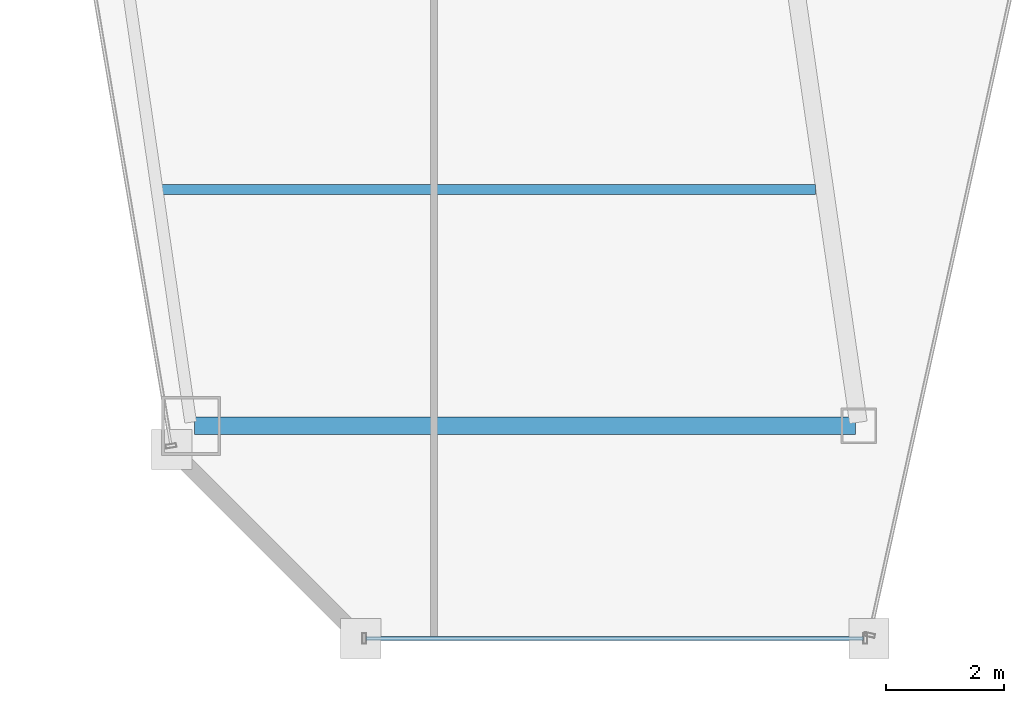
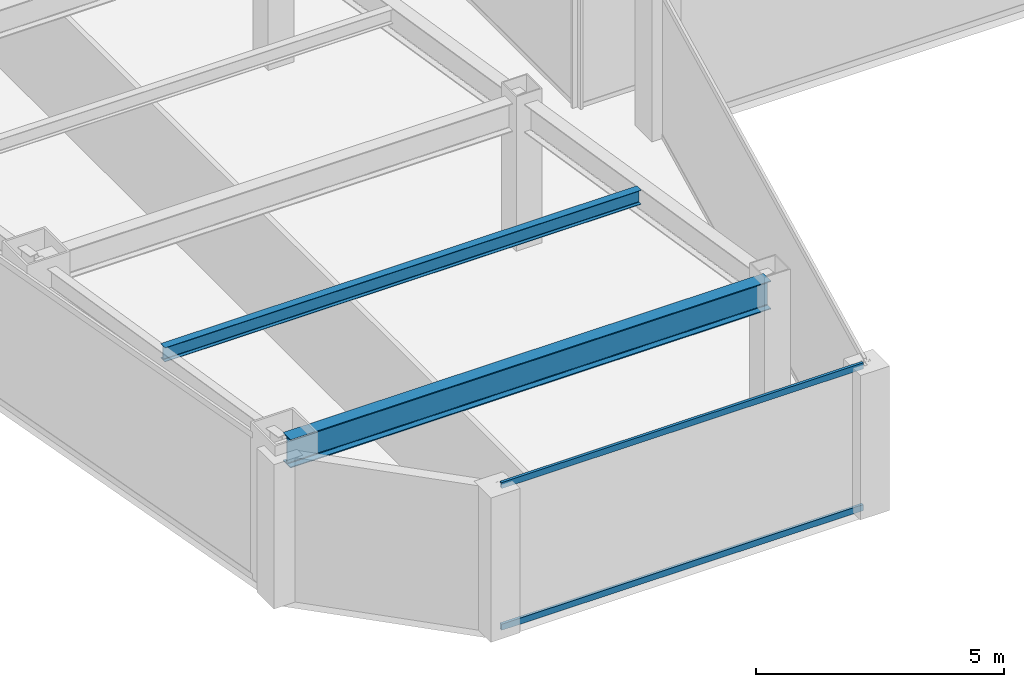
# One storey, part 3 of 35: 2 beams, 2 members, 1 element without a shape of its own.
"""IFC4 building model written with IfcOpenShell, lengths in metres."""

from ifc_helpers import new_model, si_unit, direction, frame, origin, origin_2d, place, context, subcontext, project, spatial, hollow_rectangle, i_section, extrude, material, material_profile, profile_set, type_object, element, aggregate, save


model = new_model("IFC4")

# Units and contexts
model_context = context("Model", 3, precision=1e-05, world=origin(), true_north=direction((0.0, 1.0)))
body_context = subcontext(model_context, "Body", "Model", "MODEL_VIEW")
ifc_project = project(units=[si_unit("LENGTHUNIT", "METRE"), si_unit("AREAUNIT", "SQUARE_METRE"), si_unit("VOLUMEUNIT", "CUBIC_METRE"), si_unit("PLANEANGLEUNIT", "RADIAN"), si_unit("MASSUNIT", "GRAM", prefix="KILO")], contexts=[model_context])

# Site, building, storey
site_placement = place(None, origin())
site = spatial("IfcSite", under=ifc_project, at=site_placement, CompositionType="ELEMENT")
building_placement = place(site_placement, origin())
building = spatial("IfcBuilding", under=site, at=building_placement, Name="Saevonmaru Cultural Tower", CompositionType="ELEMENT")
storey_placement = place(building_placement, frame((0.0, 0.0, 175.199951171875)))
storey = spatial("IfcBuildingStorey", under=building, at=storey_placement, Name="L39", CompositionType="ELEMENT", Elevation=175.199951171875)

# Beams
ifc_material_1 = material(Name="Steel SM355", Category="steel")
ifc_material_profile_1 = material_profile(ifc_material_1, i_section(OverallWidth=0.300048828125, OverallDepth=0.699951171875, WebThickness=0.012939453125, FlangeThickness=0.02392578125, FilletRadius=0.02587890625, at=origin_2d()), Name="H-700x300x13x24")
ifc_profile_set_1 = profile_set([ifc_material_profile_1], Name="Steel SM355")
beam_type_1 = type_object("IfcBeamType", Name="BM-G-H700", PredefinedType="BEAM", material=ifc_profile_set_1)
beam_1_placement = place(storey_placement, frame((10.68798828125, 16.0, 3.199951171875), z_axis=(1.0, 0.0, 0.0), x_axis=(0.0, 1.0, 0.0)))
element("IfcBeam", 1, at=beam_1_placement, inside=storey, type_object=beam_type_1, Name="L39 West Wing Transverse Girder 1", PredefinedType="BEAM", context=body_context, shape_type="SweptSolid", body=[
    extrude(i_section(OverallWidth=0.300048828125, OverallDepth=0.699951171875, WebThickness=0.012939453125, FlangeThickness=0.02392578125, FilletRadius=0.02587890625, at=origin_2d()), origin(), (0.0, 0.0, 1.0), 11.179931640625),
])
ifc_material_profile_2 = material_profile(ifc_material_1, i_section(OverallWidth=0.175048828125, OverallDepth=0.35009765625, WebThickness=0.007080078125, FlangeThickness=0.010986328125, FilletRadius=0.012939453125, at=origin_2d()), Name="H-350x175x7x11")
ifc_profile_set_2 = profile_set([ifc_material_profile_2], Name="Steel SM355")
beam_type_2 = type_object("IfcBeamType", Name="BM-J-H350", PredefinedType="JOIST", material=ifc_profile_set_2)
beam_2_placement = place(storey_placement, frame((10.110107421875, 20.0, 3.375), z_axis=(1.0, 0.0, 0.0), x_axis=(0.0, 1.0, 0.0)))
element("IfcBeam", 2, at=beam_2_placement, inside=storey, type_object=beam_type_2, Name="L39 West Wing Floor Joist 1", PredefinedType="JOIST", context=body_context, shape_type="SweptSolid", body=[
    extrude(i_section(OverallWidth=0.175048828125, OverallDepth=0.35009765625, WebThickness=0.007080078125, FlangeThickness=0.010986328125, FilletRadius=0.012939453125, at=origin_2d()), origin(), (0.0, 0.0, 1.0), 11.081787109375),
])

# Curtain wall, members
ifc_material_2 = material(Name="Satin Bronze Anodised Aluminium", Category="aluminium")
curtain_wall_type = type_object("IfcCurtainWallType", Name="CW-TYP-B", PredefinedType="NOTDEFINED", material=ifc_material_2)
curtain_wall_placement = place(storey_placement, origin())
curtain_wall = element("IfcCurtainWall", 3, at=curtain_wall_placement, inside=storey, type_object=curtain_wall_type, Name="L39 Unitised Curtain Wall E2", PredefinedType="NOTDEFINED")
ifc_material_profile_3 = material_profile(ifc_material_2, hollow_rectangle(XDim=0.06494140625, YDim=0.14990234375, WallThickness=0.00390625, at=origin_2d()), Name="ALU-TRAN-150x65x4")
ifc_profile_set_3 = profile_set([ifc_material_profile_3], Name="Satin Bronze Anodised Aluminium")
member_type = type_object("IfcMemberType", Name="TR-CW-150x65", PredefinedType="USERDEFINED", material=ifc_profile_set_3)
member_1_placement = place(storey_placement, frame((13.59033203125, 12.39990234375, 0.032470703125), z_axis=(1.0, 0.0, 0.0), x_axis=(0.0, 1.0, 0.0)))
member_1 = element("IfcMember", 4, at=member_1_placement, type_object=member_type, Name="CW-TW-L39-E2 transom 1.1", ObjectType="TRANSOM", PredefinedType="USERDEFINED", context=body_context, shape_type="SweptSolid", body=[
    extrude(hollow_rectangle(XDim=0.06494140625, YDim=0.14990234375, WallThickness=0.00390625, at=origin_2d()), origin(), (0.0, 0.0, 1.0), 8.4150390625),
])
member_2_placement = place(storey_placement, frame((13.59033203125, 12.39990234375, 3.517578125), z_axis=(1.0, 0.0, 0.0), x_axis=(0.0, 1.0, 0.0)))
member_2 = element("IfcMember", 5, at=member_2_placement, type_object=member_type, Name="CW-TW-L39-E2 transom 1.2", ObjectType="TRANSOM", PredefinedType="USERDEFINED", context=body_context, shape_type="SweptSolid", body=[
    extrude(hollow_rectangle(XDim=0.06494140625, YDim=0.14990234375, WallThickness=0.00390625, at=origin_2d()), origin(), (0.0, 0.0, 1.0), 8.4150390625),
])
aggregate(curtain_wall, [member_1, member_2])

save(model, "model.ifc")
